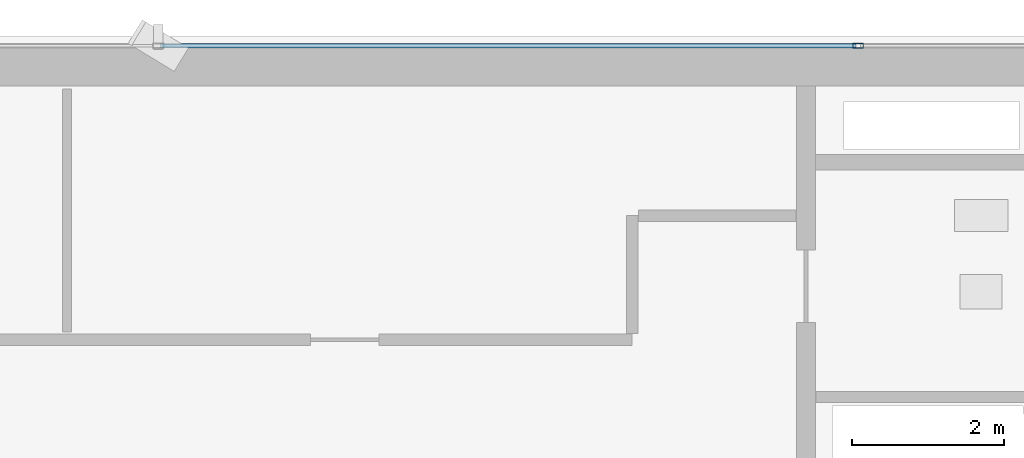
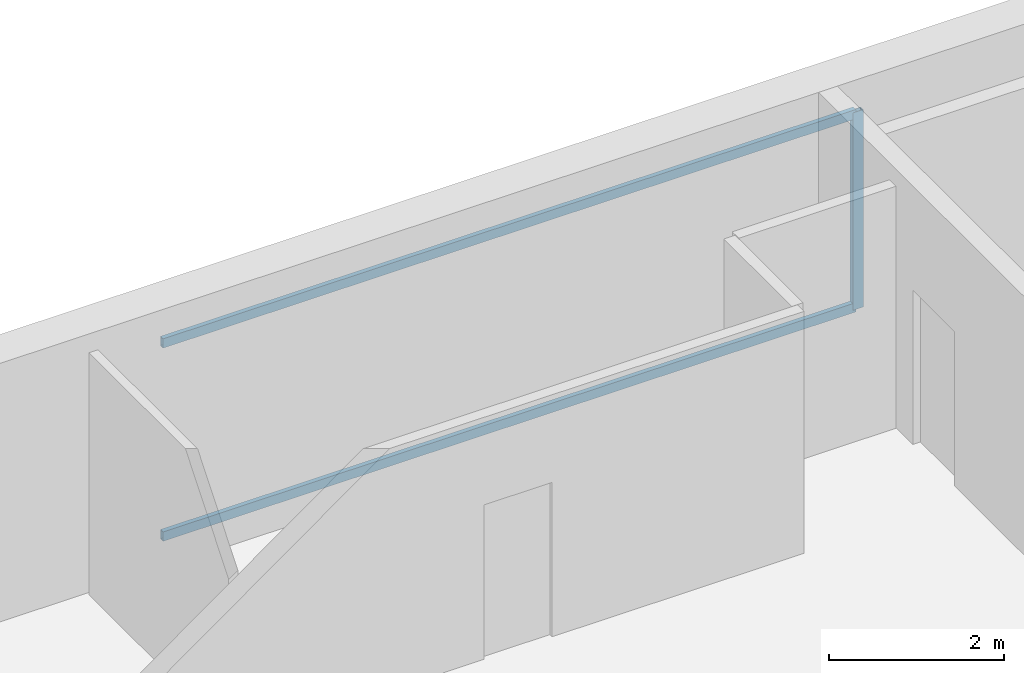
# One storey, part 17 of 25: 3 members, 1 element without a shape of its own.
"""IFC4 building model written with IfcOpenShell, lengths in metres."""

import ifcopenshell
import ifcopenshell.guid

model = None  # the IFC model being written
_history = None  # IfcOwnerHistory: only IFC2X3 demands one
_inside = {}  # id of a spatial element -> (the spatial element, [elements in it])
_under = {}  # id of a project, library or spatial element -> (it, [spatial elements below it])
_declared = {}  # id of a project -> (the project, [libraries it declares])
_typed = {}  # id of a type object -> (the type object, [elements of that type])
_made_of = {}  # id of a material, layer set ... -> (it, [elements and type objects made of it])


def new_model(schema):
    """Start an empty IFC model of exactly this schema.

    Asked for "IFC4X3", IfcOpenShell would pick the latest addendum, in which some entities
    have other attributes; the version numbers below select the first issue.
    IFC2X3 requires an IfcOwnerHistory on every rooted entity: one is made here for all.
    """
    global model, _history
    if schema == "IFC4X3":
        model = ifcopenshell.file(schema_version=(4, 3, 0, 0))
    else:
        model = ifcopenshell.file(schema=schema)
    _inside.clear()
    _under.clear()
    _declared.clear()
    _typed.clear()
    _made_of.clear()
    _history = None
    if model.schema == "IFC2X3":
        org = make("IfcOrganization", Name="unknown")
        user = make(
            "IfcPersonAndOrganization",
            ThePerson=make("IfcPerson", FamilyName="unknown"),
            TheOrganization=org,
        )
        app = make(
            "IfcApplication",
            ApplicationDeveloper=org,
            Version="unknown",
            ApplicationFullName="unknown",
            ApplicationIdentifier="unknown",
        )
        _history = make(
            "IfcOwnerHistory",
            OwningUser=user,
            OwningApplication=app,
            ChangeAction="ADDED",
            CreationDate=0,
        )
    return model


def make(cls, **values):
    """One entity of the class cls with the attributes given. An attribute that is None is left unset."""
    return model.create_entity(
        cls, **{name: value for name, value in values.items() if value is not None}
    )


def rooted(cls, **values):
    """An entity with a GlobalId (a new one), such as an element, a storey or a relation."""
    return make(cls, GlobalId=ifcopenshell.guid.new(), OwnerHistory=_history, **values)


def si_unit(unit_type, name, prefix=None):
    """IfcSIUnit, for example si_unit("LENGTHUNIT", "METRE", prefix="MILLI")."""
    return make("IfcSIUnit", UnitType=unit_type, Prefix=prefix, Name=name)


def assignment(units):
    """IfcUnitAssignment: the units of a project."""
    return None if units is None else make("IfcUnitAssignment", Units=units)


def point(xyz):
    """IfcCartesianPoint."""
    return None if xyz is None else make("IfcCartesianPoint", Coordinates=xyz)


def direction(xyz):
    """IfcDirection."""
    return None if xyz is None else make("IfcDirection", DirectionRatios=xyz)


def frame(location, z_axis=None, x_axis=None):
    """IfcAxis2Placement3D, a coordinate frame: its origin and axes. An axis left out is left unset."""
    return make(
        "IfcAxis2Placement3D",
        Location=point(location),
        Axis=direction(z_axis),
        RefDirection=direction(x_axis),
    )


def frame_2d(location, x_axis=None):
    """IfcAxis2Placement2D, a coordinate frame in the plane: its origin and x axis."""
    return make(
        "IfcAxis2Placement2D", Location=point(location), RefDirection=direction(x_axis)
    )


def origin():
    """The frame at (0, 0, 0) with its axes left unset."""
    return frame((0.0, 0.0, 0.0))


def origin_2d():
    """The frame at (0, 0) in the plane with its x axis left unset."""
    return frame_2d((0.0, 0.0))


def place(relative_to, where):
    """IfcLocalPlacement: puts the frame where relative to a parent placement (None: the world)."""
    return make(
        "IfcLocalPlacement", PlacementRelTo=relative_to, RelativePlacement=where
    )


def context(
    kind, dimensions, precision=None, world=None, true_north=None, identifier=None
):
    """IfcGeometricRepresentationContext, for example the 3D "Model" context."""
    return make(
        "IfcGeometricRepresentationContext",
        ContextIdentifier=identifier,
        ContextType=kind,
        CoordinateSpaceDimension=dimensions,
        Precision=precision,
        WorldCoordinateSystem=world,
        TrueNorth=true_north,
    )


def subcontext(parent, identifier, kind, view, scale=None):
    """IfcGeometricRepresentationSubContext, for example "Body" below "Model"."""
    return make(
        "IfcGeometricRepresentationSubContext",
        ContextIdentifier=identifier,
        ContextType=kind,
        ParentContext=parent,
        TargetScale=scale,
        TargetView=view,
    )


def project(units=None, contexts=None):
    """IfcProject with its units and contexts."""
    return rooted(
        "IfcProject",
        Name="project",
        RepresentationContexts=contexts,
        UnitsInContext=assignment(units),
    )


def spatial(cls, under=None, at=None, **own):
    """A site, building, storey or space (cls), placed at a placement, below another one or the project."""
    s = rooted(cls, ObjectPlacement=at, **own)
    if under is not None:
        _under.setdefault(under.id(), (under, []))[1].append(s)
    return s


def profile(cls, at=None, kind="AREA", **sizes):
    """A parametric profile (cls). Its sizes go by their IFC names, for example OverallWidth=200.0."""
    return make(cls, ProfileType=kind, Position=at, **sizes)


def hollow_rectangle(**sizes):
    """IfcRectangleHollowProfileDef."""
    return profile("IfcRectangleHollowProfileDef", **sizes)


def extrude(swept, where, along, depth):
    """IfcExtrudedAreaSolid: the profile swept, set in the frame where, extruded along a direction by depth."""
    return make(
        "IfcExtrudedAreaSolid",
        SweptArea=swept,
        Position=where,
        ExtrudedDirection=direction(along),
        Depth=depth,
    )


def shape(context_of_items, identifier, shape_type, items):
    """IfcShapeRepresentation: the items that make up one representation, for example the "Body"."""
    return make(
        "IfcShapeRepresentation",
        ContextOfItems=context_of_items,
        RepresentationIdentifier=identifier,
        RepresentationType=shape_type,
        Items=items,
    )


def source(mapping_origin, context_of_items, identifier, shape_type, items):
    """IfcRepresentationMap: a shape defined once, which mapped items show again and again."""
    return make(
        "IfcRepresentationMap",
        MappingOrigin=mapping_origin,
        MappedRepresentation=shape(context_of_items, identifier, shape_type, items),
    )


def transform(
    local_origin,
    x_axis=None,
    y_axis=None,
    z_axis=None,
    scale=None,
    scale2=None,
    scale3=None,
    uniform=True,
):
    """IfcCartesianTransformationOperator3D, or its non-uniform kind. x_axis, y_axis, z_axis: its Axis1, 2, 3."""
    if uniform:
        return make(
            "IfcCartesianTransformationOperator3D",
            Axis1=direction(x_axis),
            Axis2=direction(y_axis),
            LocalOrigin=point(local_origin),
            Scale=scale,
            Axis3=direction(z_axis),
        )
    return make(
        "IfcCartesianTransformationOperator3DnonUniform",
        Axis1=direction(x_axis),
        Axis2=direction(y_axis),
        LocalOrigin=point(local_origin),
        Scale=scale,
        Axis3=direction(z_axis),
        Scale2=scale2,
        Scale3=scale3,
    )


def mapped(mapping_source, mapping_target):
    """IfcMappedItem: shows the shape of a source again, moved by a transform."""
    return make(
        "IfcMappedItem", MappingSource=mapping_source, MappingTarget=mapping_target
    )


def material(Name=None, Category=None):
    """IfcMaterial."""
    return make("IfcMaterial", Name=Name, Category=Category)


def layer(
    of_material, thickness, ventilated=None, Name=None, Category=None, Priority=None
):
    """IfcMaterialLayer: one layer of a wall or slab, of a material (None: an air gap)."""
    return make(
        "IfcMaterialLayer",
        Material=of_material,
        LayerThickness=thickness,
        IsVentilated=ventilated,
        Name=Name,
        Category=Category,
        Priority=Priority,
    )


def layer_set(layers, Name=None):
    """IfcMaterialLayerSet."""
    return make("IfcMaterialLayerSet", MaterialLayers=layers, LayerSetName=Name)


def material_profile(
    of_material, cross_section, Name=None, Category=None, Priority=None
):
    """IfcMaterialProfile: a cross section and its material."""
    return make(
        "IfcMaterialProfile",
        Name=Name,
        Material=of_material,
        Profile=cross_section,
        Priority=Priority,
        Category=Category,
    )


def profile_set(profiles, Name=None, composite=None):
    """IfcMaterialProfileSet."""
    return make(
        "IfcMaterialProfileSet",
        Name=Name,
        MaterialProfiles=profiles,
        CompositeProfile=composite,
    )


def made_of(thing, what):
    """Note that an element or type object is made of a material, layer set ...; save() writes the relation."""
    if what is not None:
        _made_of.setdefault(what.id(), (what, []))[1].append(thing)
    return thing


def type_object(cls, material=None, **own):
    """A type object (cls), such as IfcWallType, which elements share."""
    return made_of(rooted(cls, **own), material)


def element(
    cls,
    number,
    at=None,
    inside=None,
    cuts=None,
    type_object=None,
    material=None,
    context=None,
    identifier="Body",
    shape_type=None,
    held_by="IfcProductDefinitionShape",
    body=None,
    shapes=None,
    **own,
):
    """One element of the class cls, such as IfcWall. Its Tag is "e" and its number.

    at: its placement. inside: the storey or other place that contains it. cuts: it is an
    opening in that element (IfcRelVoidsElement). A single representation is given by context,
    identifier, shape_type and body (its items); several are given by shapes. held_by: the class
    of the entity that holds the representations. save() writes the other relations.
    """
    e = rooted(cls, Tag="e%d" % number, ObjectPlacement=at, **own)
    if body is not None:
        shapes = [shape(context, identifier, shape_type, body)]
    if shapes is not None:
        e.Representation = make(held_by, Representations=shapes)
    if inside is not None:
        _inside.setdefault(inside.id(), (inside, []))[1].append(e)
    if cuts is not None:
        rooted(
            "IfcRelVoidsElement", RelatingBuildingElement=cuts, RelatedOpeningElement=e
        )
    if type_object is not None:
        _typed.setdefault(type_object.id(), (type_object, []))[1].append(e)
    return made_of(e, material)


def aggregate(whole, parts):
    """IfcRelAggregates: a whole, such as a stair, and the parts it consists of."""
    return rooted("IfcRelAggregates", RelatingObject=whole, RelatedObjects=parts)


def save(model, path):
    """Write the relations noted so far, then the file.

    IfcRelAggregates (storeys below a building ...), IfcRelContainedInSpatialStructure (elements
    in a storey), IfcRelDefinesByType, IfcRelAssociatesMaterial and IfcRelDeclares: one each for
    every whole, place, type object, material and project.
    """
    for whole, parts in _under.values():
        aggregate(whole, parts)
    for where, things in _inside.values():
        rooted(
            "IfcRelContainedInSpatialStructure",
            RelatedElements=things,
            RelatingStructure=where,
        )
    for kind, things in _typed.values():
        rooted("IfcRelDefinesByType", RelatedObjects=things, RelatingType=kind)
    for what, things in _made_of.values():
        rooted("IfcRelAssociatesMaterial", RelatedObjects=things, RelatingMaterial=what)
    for by, libraries in _declared.values():
        rooted("IfcRelDeclares", RelatingContext=by, RelatedDefinitions=libraries)
    model.write(path)


model = new_model("IFC4")

# Units and contexts
model_context = context("Model", 3, precision=1e-05, world=origin(), true_north=direction((0.0, 1.0)))
body_context = subcontext(model_context, "Body", "Model", "MODEL_VIEW")
ifc_project = project(units=[si_unit("LENGTHUNIT", "METRE"), si_unit("AREAUNIT", "SQUARE_METRE"), si_unit("VOLUMEUNIT", "CUBIC_METRE"), si_unit("PLANEANGLEUNIT", "RADIAN"), si_unit("MASSUNIT", "GRAM", prefix="KILO")], contexts=[model_context])

# Site, building, storey
site_placement = place(None, origin())
site = spatial("IfcSite", under=ifc_project, at=site_placement, CompositionType="ELEMENT")
building_placement = place(site_placement, origin())
building = spatial("IfcBuilding", under=site, at=building_placement, Name="Sumidabori Civic Tower", CompositionType="ELEMENT")
storey_placement = place(building_placement, frame((0.0, 0.0, 268.39990234375)))
storey = spatial("IfcBuildingStorey", under=building, at=storey_placement, Name="L70", CompositionType="ELEMENT", Elevation=268.39990234375)

# Curtain wall, members
ifc_material = material(Name="Anodised Bronze Aluminium AW-6063-T6", Category="aluminium")
ifc_layer = layer(ifc_material, 0.179931640625, Name="Anodised Bronze Aluminium AW-6063-T6")
ifc_layer_set = layer_set([ifc_layer], Name="Anodised Bronze Aluminium AW-6063-T6")
curtain_wall_type = type_object("IfcCurtainWallType", Name="CW-SYS-5", PredefinedType="NOTDEFINED", material=ifc_layer_set)
curtain_wall_placement = place(storey_placement, origin())
curtain_wall = element("IfcCurtainWall", 1, at=curtain_wall_placement, inside=storey, type_object=curtain_wall_type, Name="Curtain Wall CW:L70:R07", PredefinedType="NOTDEFINED")
ifc_material_profile_1 = material_profile(ifc_material, hollow_rectangle(XDim=0.06005859375, YDim=0.1298828125, WallThickness=0.0048828125, at=origin_2d()), Name="ALU TRANSOM 130x60")
ifc_profile_set_1 = profile_set([ifc_material_profile_1], Name="Anodised Bronze Aluminium AW-6063-T6")
member_type_1 = type_object("IfcMemberType", Name="CW-TRN-130", PredefinedType="USERDEFINED", material=ifc_profile_set_1)
shared_shape_1 = source(origin(), body_context, "Body", "SweptSolid", [
    extrude(hollow_rectangle(XDim=0.06005859375, YDim=0.1298828125, WallThickness=0.0048828125, at=origin_2d()), origin(), (0.0, 0.0, 1.0), 9.125),
])
member_1_placement = place(storey_placement, frame((9.155029296875, 24.080078125, 0.030029296875), z_axis=(-1.0, 0.0, 0.0), x_axis=(0.0, -1.0, 0.0)))
member_1 = element("IfcMember", 2, at=member_1_placement, type_object=member_type_1, Name="CW-5 transom 2.1", ObjectType="TRANSOM", PredefinedType="USERDEFINED", context=body_context, shape_type="MappedRepresentation", body=[
    mapped(shared_shape_1, transform((0.0, 0.0, 0.0), x_axis=(1.0, 0.0, 0.0), y_axis=(0.0, 1.0, 0.0), z_axis=(0.0, 0.0, 1.0), scale=1.0)),
])
member_2_placement = place(storey_placement, frame((9.155029296875, 24.080078125, 2.72021484375), z_axis=(-1.0, 0.0, 0.0), x_axis=(0.0, -1.0, 0.0)))
member_2 = element("IfcMember", 3, at=member_2_placement, type_object=member_type_1, Name="CW-5 transom 2.2", ObjectType="TRANSOM", PredefinedType="USERDEFINED", context=body_context, shape_type="MappedRepresentation", body=[
    mapped(shared_shape_1, transform((0.0, 0.0, 0.0), x_axis=(1.0, 0.0, 0.0), y_axis=(0.0, 1.0, 0.0), z_axis=(0.0, 0.0, 1.0), scale=1.0)),
])
ifc_material_profile_2 = material_profile(ifc_material, hollow_rectangle(XDim=0.06005859375, YDim=0.139892578125, WallThickness=0.0048828125, at=origin_2d()), Name="ALU MULLION 140x60")
ifc_profile_set_2 = profile_set([ifc_material_profile_2], Name="Anodised Bronze Aluminium AW-6063-T6")
member_type_2 = type_object("IfcMemberType", Name="CW-MUL-140", PredefinedType="MULLION", material=ifc_profile_set_2)
shared_shape_2 = source(origin(), body_context, "Body", "SweptSolid", [
    extrude(hollow_rectangle(XDim=0.06005859375, YDim=0.139892578125, WallThickness=0.0048828125, at=origin_2d()), origin(), (0.0, 0.0, 1.0), 2.75),
])
member_3_placement = place(storey_placement, frame((9.18505859375, 24.080078125, 0.0), z_axis=(0.0, 0.0, 1.0), x_axis=(0.0, -1.0, 0.0)))
member_3 = element("IfcMember", 4, at=member_3_placement, type_object=member_type_2, Name="CW-5 mullion 2", PredefinedType="MULLION", context=body_context, shape_type="MappedRepresentation", body=[
    mapped(shared_shape_2, transform((0.0, 0.0, 0.0), x_axis=(1.0, 0.0, 0.0), y_axis=(0.0, 1.0, 0.0), z_axis=(0.0, 0.0, 1.0), scale=1.0)),
])
aggregate(curtain_wall, [member_3, member_1, member_2])

save(model, "model.ifc")
